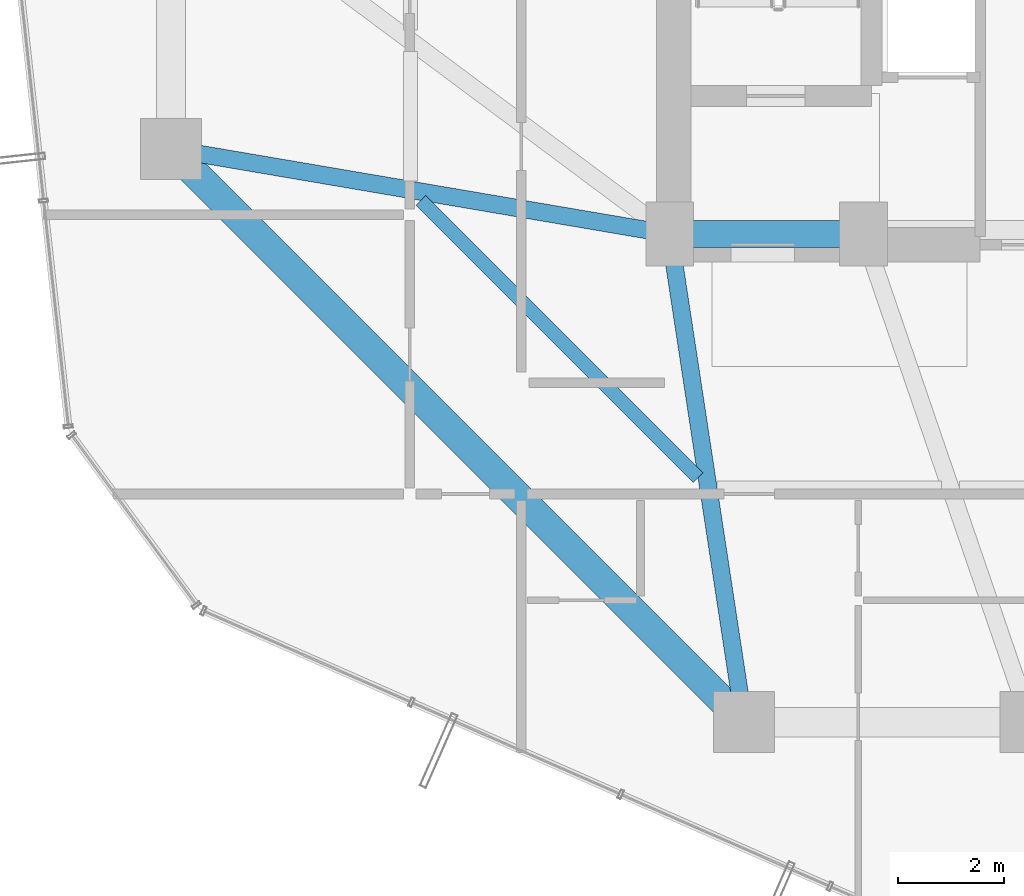
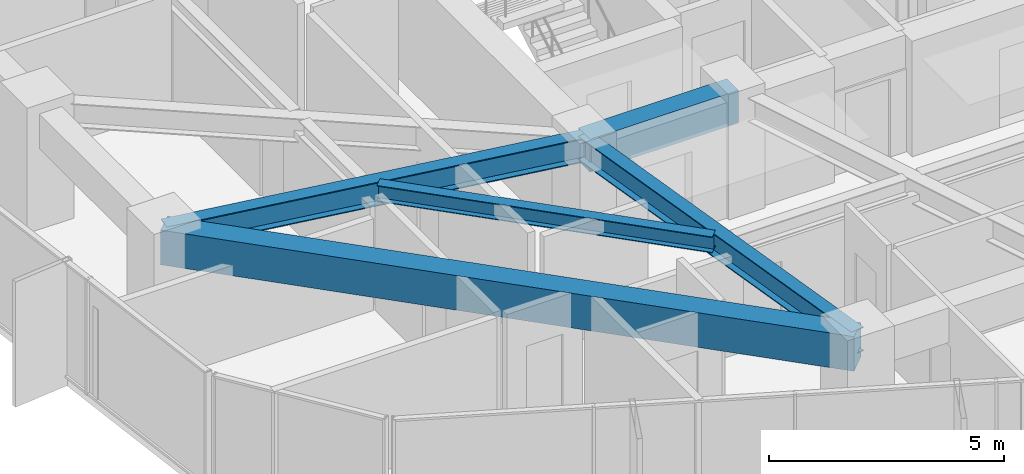
# One storey, part 5 of 34: 5 beams.
"""IFC4 building model written with IfcOpenShell, lengths in metres."""

from ifc_helpers import new_model, si_unit, direction, frame, origin, origin_2d, place, context, subcontext, project, spatial, rectangle, i_section, extrude, material, material_profile, profile_set, type_object, element, save


model = new_model("IFC4")

# Units and contexts
model_context = context("Model", 3, precision=1e-05, world=origin(), true_north=direction((0.0, 1.0)))
body_context = subcontext(model_context, "Body", "Model", "MODEL_VIEW")
ifc_project = project(units=[si_unit("LENGTHUNIT", "METRE"), si_unit("AREAUNIT", "SQUARE_METRE"), si_unit("VOLUMEUNIT", "CUBIC_METRE"), si_unit("PLANEANGLEUNIT", "RADIAN"), si_unit("MASSUNIT", "GRAM", prefix="KILO")], contexts=[model_context])

# Site, building, storey
site_placement = place(None, origin())
site = spatial("IfcSite", under=ifc_project, at=site_placement, CompositionType="ELEMENT")
building_placement = place(site_placement, origin())
building = spatial("IfcBuilding", under=site, at=building_placement, Name="Veraguas Prism Commons", CompositionType="ELEMENT")
storey_placement = place(building_placement, frame((0.0, 0.0, 149.0)))
storey = spatial("IfcBuildingStorey", under=building, at=storey_placement, Name="L42", CompositionType="ELEMENT", Elevation=149.0)

# Beams
ifc_material_1 = material(Name="Concrete C50/60", Category="concrete")
ifc_material_profile_1 = material_profile(ifc_material_1, rectangle(XDim=0.5, YDim=0.85009765625, at=origin_2d()), Name="RC500X850")
ifc_profile_set_1 = profile_set([ifc_material_profile_1], Name="Concrete C50/60")
beam_type_1 = type_object("IfcBeamType", Name="Core Coupling Beam RC 500x850", PredefinedType="BEAM", material=ifc_profile_set_1)
beam_1_placement = place(storey_placement, frame((17.199951171875, 17.0, 2.574951171875), z_axis=(1.0, 0.0, 0.0), x_axis=(0.0, 1.0, 0.0)))
element("IfcBeam", 1, at=beam_1_placement, inside=storey, type_object=beam_type_1, Name="Core Coupling Beam L42-CRS1", PredefinedType="BEAM", context=body_context, shape_type="SweptSolid", body=[
    extrude(rectangle(XDim=0.5, YDim=0.85009765625, at=origin_2d()), origin(), (0.0, 0.0, 1.0), 3.650146484375),
])
ifc_material_2 = material(Name="Steel ASTM A992 Grade 50", Category="steel")
ifc_material_profile_2 = material_profile(ifc_material_2, i_section(OverallWidth=0.260986328125, OverallDepth=0.419921875, WebThickness=0.01171875, FlangeThickness=0.019287109375, at=origin_2d()), Name="W410X114")
ifc_profile_set_2 = profile_set([ifc_material_profile_2], Name="Steel ASTM A992 Grade 50")
beam_type_2 = type_object("IfcBeamType", Name="Lower Floor Joist W410x114", PredefinedType="JOIST", material=ifc_profile_set_2)
beam_2_placement = place(storey_placement, frame((12.510009765625, 17.634033203125, 2.7900390625), z_axis=(0.707090260193, -0.707123301794, 0.0), x_axis=(0.707123301794, 0.707090260193, 0.0)))
element("IfcBeam", 2, at=beam_2_placement, inside=storey, type_object=beam_type_2, Name="Composite Floor Joist L42-JS09", PredefinedType="JOIST", context=body_context, shape_type="SweptSolid", body=[
    extrude(i_section(OverallWidth=0.260986328125, OverallDepth=0.419921875, WebThickness=0.01171875, FlangeThickness=0.019287109375, at=origin_2d()), origin(), (0.0, 0.0, 1.0), 7.388916015625),
])
ifc_material_profile_3 = material_profile(ifc_material_1, rectangle(XDim=0.550048828125, YDim=0.89990234375, at=origin_2d()), Name="RC550X900")
ifc_profile_set_3 = profile_set([ifc_material_profile_3], Name="Concrete C50/60")
beam_type_3 = type_object("IfcBeamType", Name="Perimeter Spandrel Lower RC 550x900", PredefinedType="SPANDREL", material=ifc_profile_set_3)
beam_3_placement = place(storey_placement, frame((7.800048828125, 18.60009765625, 2.550048828125), z_axis=(0.707106781187, -0.707106781187, 0.0), x_axis=(0.707106781187, 0.707106781187, 0.0)))
element("IfcBeam", 3, at=beam_3_placement, inside=storey, type_object=beam_type_3, Name="Perimeter Spandrel Beam L42-SP09", PredefinedType="SPANDREL", context=body_context, shape_type="SweptSolid", body=[
    extrude(rectangle(XDim=0.550048828125, YDim=0.89990234375, at=origin_2d()), origin(), (0.0, 0.0, 1.0), 15.273681640625),
])
ifc_material_profile_4 = material_profile(ifc_material_2, i_section(OverallWidth=0.327880859375, OverallDepth=0.6220703125, WebThickness=0.015380859375, FlangeThickness=0.0244140625, at=origin_2d()), Name="W610X195")
ifc_profile_set_4 = profile_set([ifc_material_profile_4], Name="Steel ASTM A992 Grade 50")
beam_type_4 = type_object("IfcBeamType", Name="Zone 2 Radial Girder W610x195", PredefinedType="BEAM", material=ifc_profile_set_4)
beam_4_placement = place(storey_placement, frame((7.800048828125, 18.60009765625, 2.68896484375), z_axis=(0.985819187151, -0.1678109956, 0.0), x_axis=(0.1678109956, 0.985819187151, 0.0)))
element("IfcBeam", 4, at=beam_4_placement, inside=storey, type_object=beam_type_4, Name="Radial Floor Girder L42-RD09", PredefinedType="BEAM", context=body_context, shape_type="SweptSolid", body=[
    extrude(i_section(OverallWidth=0.327880859375, OverallDepth=0.6220703125, WebThickness=0.015380859375, FlangeThickness=0.0244140625, at=origin_2d()), origin(), (0.0, 0.0, 1.0), 9.53515625),
])
beam_5_placement = place(storey_placement, frame((18.60009765625, 7.800048828125, 2.68896484375), z_axis=(-0.150458162136, 0.98861637729, 0.0), x_axis=(-0.98861637729, -0.150458162136, 0.0)))
element("IfcBeam", 5, at=beam_5_placement, inside=storey, type_object=beam_type_4, Name="Radial Floor Girder L42-RD10", PredefinedType="BEAM", context=body_context, shape_type="SweptSolid", body=[
    extrude(i_section(OverallWidth=0.327880859375, OverallDepth=0.6220703125, WebThickness=0.015380859375, FlangeThickness=0.0244140625, at=origin_2d()), origin(), (0.0, 0.0, 1.0), 9.305908203125),
])

save(model, "model.ifc")
